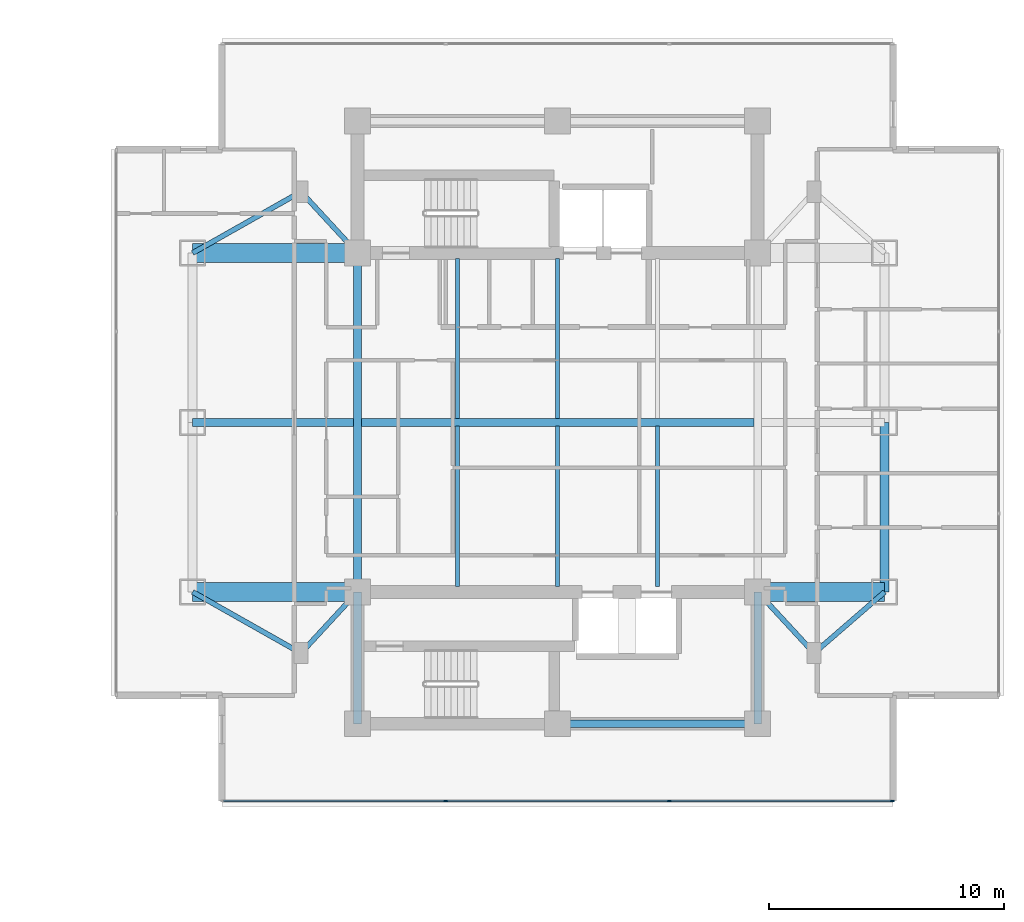
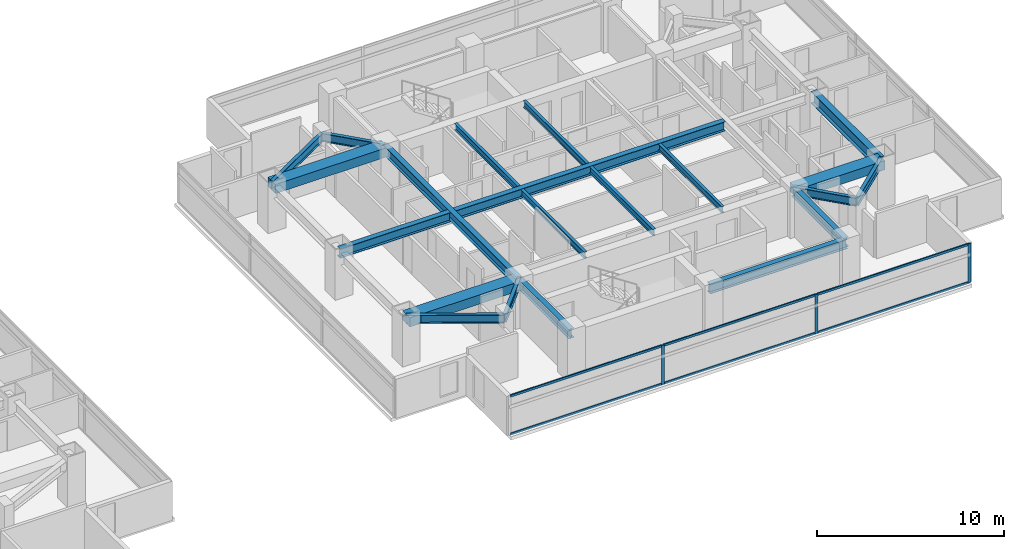
# One storey, part 9 of 24: 21 beams, 9 members, 1 element without a shape of its own.
"""IFC4 building model written with IfcOpenShell, lengths in metres."""

from ifc_helpers import new_model, si_unit, direction, frame, origin, origin_2d, place, context, subcontext, project, spatial, rectangle, i_section, extrude, material, material_profile, profile_set, type_object, element, aggregate, save


model = new_model("IFC4")

# Units and contexts
model_context = context("Model", 3, precision=1e-05, world=origin(), true_north=direction((0.0, 1.0)))
body_context = subcontext(model_context, "Body", "Model", "MODEL_VIEW")
ifc_project = project(units=[si_unit("LENGTHUNIT", "METRE"), si_unit("AREAUNIT", "SQUARE_METRE"), si_unit("VOLUMEUNIT", "CUBIC_METRE"), si_unit("PLANEANGLEUNIT", "RADIAN"), si_unit("MASSUNIT", "GRAM", prefix="KILO")], contexts=[model_context])

# Site, building, storey
site_placement = place(None, origin())
site = spatial("IfcSite", under=ifc_project, at=site_placement, CompositionType="ELEMENT")
building_placement = place(site_placement, origin())
building = spatial("IfcBuilding", under=site, at=building_placement, Name="Mirazonda Arch Towers", CompositionType="ELEMENT")
storey_placement = place(building_placement, frame((0.0, 0.0, 144.5)))
storey = spatial("IfcBuildingStorey", under=building, at=storey_placement, Name="L41", CompositionType="ELEMENT", Elevation=144.5)

# Beams
ifc_material_1 = material(Name="Steel ASTM A992 Grade 50", Category="steel")
ifc_material_profile_1 = material_profile(ifc_material_1, i_section(OverallWidth=0.381103515625, OverallDepth=0.77294921875, WebThickness=0.0166015625, FlangeThickness=0.027099609375, at=origin_2d()), Name="W30X173")
ifc_profile_set_1 = profile_set([ifc_material_profile_1], Name="Steel ASTM A992 Grade 50")
beam_type_1 = type_object("IfcBeamType", Name="BM-EXT-W30X173", PredefinedType="USERDEFINED", material=ifc_profile_set_1)
beam_1_placement = place(storey_placement, frame((90.39990234375, 20.800048828125, 2.553466796875), z_axis=(0.0, 1.0, 0.0), x_axis=(-1.0, 0.0, 0.0)))
element("IfcBeam", 1, at=beam_1_placement, inside=storey, type_object=beam_type_1, Name="L41 Floor Beam BMT-T2-L41-NS-E-20", ObjectType="GIRDER", PredefinedType="USERDEFINED", context=body_context, shape_type="SweptSolid", body=[
    extrude(i_section(OverallWidth=0.381103515625, OverallDepth=0.77294921875, WebThickness=0.0166015625, FlangeThickness=0.027099609375, at=origin_2d()), origin(), (0.0, 0.0, 1.0), 7.199951171875),
])
ifc_material_profile_2 = material_profile(ifc_material_1, i_section(OverallWidth=0.180908203125, OverallDepth=0.4169921875, WebThickness=0.010986328125, FlangeThickness=0.018310546875, at=origin_2d()), Name="W16X57")
ifc_profile_set_2 = profile_set([ifc_material_profile_2], Name="Steel ASTM A992 Grade 50")
beam_type_2 = type_object("IfcBeamType", Name="BM-INT-W16X57", PredefinedType="JOIST", material=ifc_profile_set_2)
for number, where, z_axis, x_axis, name in (
    (2, (72.25, 21.0400390625, 2.7314453125), (0.0, 1.0, 0.0), (-1.0, 0.0, 0.0), "L41 Floor Beam BM-T2-L41-J-722-20"),
    (3, (72.25, 28.158447265625, 2.7314453125), (0.0, 1.0, 0.0), (-1.0, 0.0, 0.0), "L41 Floor Beam BM-T2-L41-J-722-28"),
    (4, (76.5, 21.0400390625, 2.7314453125), (0.0, 1.0, 0.0), (-1.0, 0.0, 0.0), "L41 Floor Beam BM-T2-L41-J-765-20"),
    (5, (76.5, 28.158447265625, 2.7314453125), (0.0, 1.0, 0.0), (-1.0, 0.0, 0.0), "L41 Floor Beam BM-T2-L41-J-765-28"),
    (6, (80.75, 21.0400390625, 2.7314453125), (0.0, 1.0, 0.0), (-1.0, 0.0, 0.0), "L41 Floor Beam BM-T2-L41-J-807-20"),
):
    element("IfcBeam", number, at=place(storey_placement, frame(where, z_axis=z_axis, x_axis=x_axis)), inside=storey, type_object=beam_type_2, Name=name, PredefinedType="JOIST", context=body_context, shape_type="SweptSolid", body=[
        extrude(i_section(OverallWidth=0.180908203125, OverallDepth=0.4169921875, WebThickness=0.010986328125, FlangeThickness=0.018310546875, at=origin_2d()), origin(), (0.0, 0.0, 1.0), 6.801513671875),
    ])
ifc_material_profile_3 = material_profile(ifc_material_1, i_section(OverallWidth=0.214111328125, OverallDepth=0.549072265625, WebThickness=0.0146484375, FlangeThickness=0.023681640625, at=origin_2d()), Name="W21X93")
ifc_profile_set_3 = profile_set([ifc_material_profile_3], Name="Steel ASTM A992 Grade 50")
beam_type_3 = type_object("IfcBeamType", Name="BM-INT-W21X93", PredefinedType="BEAM", material=ifc_profile_set_3)
beam_2_placement = place(storey_placement, frame((65.60009765625, 18.199951171875, 2.66552734375), z_axis=(0.678251444854, 0.734829897019, 0.0), x_axis=(-0.734829897019, 0.678251444854, 0.0)))
element("IfcBeam", 7, at=beam_2_placement, inside=storey, type_object=beam_type_3, Name="L41 Floor Beam BMT-T2-L41-PL-SW1", PredefinedType="BEAM", context=body_context, shape_type="SweptSolid", body=[
    extrude(i_section(OverallWidth=0.214111328125, OverallDepth=0.549072265625, WebThickness=0.0146484375, FlangeThickness=0.023681640625, at=origin_2d()), origin(), (0.0, 0.0, 1.0), 3.538330078125),
])
beam_3_placement = place(storey_placement, frame((65.60009765625, 18.199951171875, 2.66552734375), z_axis=(-0.870559396632, 0.492063346467, 0.0), x_axis=(-0.492063346467, -0.870559396632, 0.0)))
element("IfcBeam", 8, at=beam_3_placement, inside=storey, type_object=beam_type_3, Name="L41 Floor Beam BMT-T2-L41-PL-SW2", PredefinedType="BEAM", context=body_context, shape_type="SweptSolid", body=[
    extrude(i_section(OverallWidth=0.214111328125, OverallDepth=0.549072265625, WebThickness=0.0146484375, FlangeThickness=0.023681640625, at=origin_2d()), origin(), (0.0, 0.0, 1.0), 5.2841796875),
])
beam_4_placement = place(storey_placement, frame((87.39990234375, 18.199951171875, 2.66552734375), z_axis=(-0.678251444854, 0.734829897019, 0.0), x_axis=(-0.734829897019, -0.678251444854, 0.0)))
element("IfcBeam", 9, at=beam_4_placement, inside=storey, type_object=beam_type_3, Name="L41 Floor Beam BMT-T2-L41-PL-SE1", PredefinedType="BEAM", context=body_context, shape_type="SweptSolid", body=[
    extrude(i_section(OverallWidth=0.214111328125, OverallDepth=0.549072265625, WebThickness=0.0146484375, FlangeThickness=0.023681640625, at=origin_2d()), origin(), (0.0, 0.0, 1.0), 3.538330078125),
])
beam_5_placement = place(storey_placement, frame((87.39990234375, 18.199951171875, 2.66552734375), z_axis=(0.755676908098, 0.654944585876, 0.0), x_axis=(-0.654944585876, 0.755676908098, 0.0)))
element("IfcBeam", 10, at=beam_5_placement, inside=storey, type_object=beam_type_3, Name="L41 Floor Beam BMT-T2-L41-PL-SE2", PredefinedType="BEAM", context=body_context, shape_type="SweptSolid", body=[
    extrude(i_section(OverallWidth=0.214111328125, OverallDepth=0.549072265625, WebThickness=0.0146484375, FlangeThickness=0.023681640625, at=origin_2d()), origin(), (0.0, 0.0, 1.0), 3.969970703125),
])
beam_6_placement = place(storey_placement, frame((65.60009765625, 37.800048828125, 2.66552734375), z_axis=(0.678251444854, -0.734829897019, 0.0), x_axis=(0.734829897019, 0.678251444854, 0.0)))
element("IfcBeam", 11, at=beam_6_placement, inside=storey, type_object=beam_type_3, Name="L41 Floor Beam BMT-T2-L41-PL-NW1", PredefinedType="BEAM", context=body_context, shape_type="SweptSolid", body=[
    extrude(i_section(OverallWidth=0.214111328125, OverallDepth=0.549072265625, WebThickness=0.0146484375, FlangeThickness=0.023681640625, at=origin_2d()), origin(), (0.0, 0.0, 1.0), 3.538330078125),
])
beam_7_placement = place(storey_placement, frame((65.60009765625, 37.800048828125, 2.66552734375), z_axis=(-0.870559396632, -0.492063346467, 0.0), x_axis=(0.492063346467, -0.870559396632, 0.0)))
element("IfcBeam", 12, at=beam_7_placement, inside=storey, type_object=beam_type_3, Name="L41 Floor Beam BMT-T2-L41-PL-NW2", PredefinedType="BEAM", context=body_context, shape_type="SweptSolid", body=[
    extrude(i_section(OverallWidth=0.214111328125, OverallDepth=0.549072265625, WebThickness=0.0146484375, FlangeThickness=0.023681640625, at=origin_2d()), origin(), (0.0, 0.0, 1.0), 5.2841796875),
])
ifc_material_profile_4 = material_profile(ifc_material_1, i_section(OverallWidth=0.324951171875, OverallDepth=0.615966796875, WebThickness=0.013916015625, FlangeThickness=0.021484375, at=origin_2d()), Name="W24X117")
ifc_profile_set_4 = profile_set([ifc_material_profile_4], Name="Steel ASTM A992 Grade 50")
beam_type_4 = type_object("IfcBeamType", Name="BM-INT-W24X117", PredefinedType="BEAM", material=ifc_profile_set_4)
beam_8_placement = place(storey_placement, frame((68.16259765625, 28.0, 2.632080078125), z_axis=(1.0, 0.0, 0.0), x_axis=(0.0, 1.0, 0.0)))
element("IfcBeam", 13, at=beam_8_placement, inside=storey, type_object=beam_type_4, Name="L41 Floor Beam BMT-T2-L41-GC2", PredefinedType="BEAM", context=body_context, shape_type="SweptSolid", body=[
    extrude(i_section(OverallWidth=0.324951171875, OverallDepth=0.615966796875, WebThickness=0.013916015625, FlangeThickness=0.021484375, at=origin_2d()), origin(), (0.0, 0.0, 1.0), 16.6748046875),
])
beam_9_placement = place(storey_placement, frame((76.5, 15.199951171875, 2.632080078125), z_axis=(1.0, 0.0, 0.0), x_axis=(0.0, 1.0, 0.0)))
element("IfcBeam", 14, at=beam_9_placement, inside=storey, type_object=beam_type_4, Name="L41 Floor Beam BMT-T2-L41-CS2", PredefinedType="BEAM", context=body_context, shape_type="SweptSolid", body=[
    extrude(i_section(OverallWidth=0.324951171875, OverallDepth=0.615966796875, WebThickness=0.013916015625, FlangeThickness=0.021484375, at=origin_2d()), origin(), (0.0, 0.0, 1.0), 8.5),
])
for number, where, z_axis, x_axis, name in (
    (15, (68.0, 15.199951171875, 2.632080078125), (0.0, 1.0, 0.0), (-1.0, 0.0, 0.0), "L41 Floor Beam BMT-T2-L41-CSW"),
    (16, (85.0, 15.199951171875, 2.632080078125), (0.0, 1.0, 0.0), (-1.0, 0.0, 0.0), "L41 Floor Beam BMT-T2-L41-CSE"),
):
    element("IfcBeam", number, at=place(storey_placement, frame(where, z_axis=z_axis, x_axis=x_axis)), inside=storey, type_object=beam_type_4, Name=name, PredefinedType="BEAM", context=body_context, shape_type="SweptSolid", body=[
        extrude(i_section(OverallWidth=0.324951171875, OverallDepth=0.615966796875, WebThickness=0.013916015625, FlangeThickness=0.021484375, at=origin_2d()), origin(), (0.0, 0.0, 1.0), 5.60009765625),
    ])
beam_10_placement = place(storey_placement, frame((61.0, 28.0, 2.632080078125), z_axis=(1.0, 0.0, 0.0), x_axis=(0.0, 1.0, 0.0)))
element("IfcBeam", 17, at=beam_10_placement, inside=storey, type_object=beam_type_4, Name="L41 Floor Beam BMT-T2-L41-GW2", PredefinedType="BEAM", context=body_context, shape_type="SweptSolid", body=[
    extrude(i_section(OverallWidth=0.324951171875, OverallDepth=0.615966796875, WebThickness=0.013916015625, FlangeThickness=0.021484375, at=origin_2d()), origin(), (0.0, 0.0, 1.0), 6.83740234375),
])
beam_11_placement = place(storey_placement, frame((68.0, 20.800048828125, 2.632080078125), z_axis=(0.0, 1.0, 0.0), x_axis=(-1.0, 0.0, 0.0)))
element("IfcBeam", 18, at=beam_11_placement, inside=storey, type_object=beam_type_4, Name="L41 Floor Beam BMT-T2-L41-NS-CW-FULL", PredefinedType="BEAM", context=body_context, shape_type="SweptSolid", body=[
    extrude(i_section(OverallWidth=0.324951171875, OverallDepth=0.615966796875, WebThickness=0.013916015625, FlangeThickness=0.021484375, at=origin_2d()), origin(), (0.0, 0.0, 1.0), 14.39990234375),
])
ifc_material_2 = material(Name="Concrete C60/75", Category="concrete")
ifc_material_profile_5 = material_profile(ifc_material_2, rectangle(XDim=0.800048828125, YDim=0.60009765625, at=origin_2d()), Name="RCCB800x600")
ifc_profile_set_5 = profile_set([ifc_material_profile_5], Name="Concrete C60/75")
beam_type_5 = type_object("IfcBeamType", Name="CB-INT-RCCB800x600", PredefinedType="SPANDREL", material=ifc_profile_set_5)
for number, where, z_axis, x_axis, name in (
    (19, (61.0, 35.199951171875, 2.639892578125), (1.0, 0.0, 0.0), (0.0, 1.0, 0.0), "L41 Floor Beam CBC-T2-L41-NW"),
    (20, (61.0, 20.800048828125, 2.639892578125), (1.0, 0.0, 0.0), (0.0, 1.0, 0.0), "L41 Floor Beam CBC-T2-L41-SW"),
):
    element("IfcBeam", number, at=place(storey_placement, frame(where, z_axis=z_axis, x_axis=x_axis)), inside=storey, type_object=beam_type_5, Name=name, PredefinedType="SPANDREL", context=body_context, shape_type="SweptSolid", body=[
        extrude(rectangle(XDim=0.800048828125, YDim=0.60009765625, at=origin_2d()), origin(), (0.0, 0.0, 1.0), 7.0),
    ])
beam_12_placement = place(storey_placement, frame((85.0, 20.800048828125, 2.639892578125), z_axis=(1.0, 0.0, 0.0), x_axis=(0.0, 1.0, 0.0)))
element("IfcBeam", 21, at=beam_12_placement, inside=storey, type_object=beam_type_5, Name="L41 Floor Beam CBC-T2-L41-SE", PredefinedType="SPANDREL", context=body_context, shape_type="SweptSolid", body=[
    extrude(rectangle(XDim=0.800048828125, YDim=0.60009765625, at=origin_2d()), origin(), (0.0, 0.0, 1.0), 5.39990234375),
])

# Curtain wall, members
ifc_material_3 = material(Name="Anodised Aluminium and Low-E Glass", Category="aluminium")
curtain_wall_type = type_object("IfcCurtainWallType", Name="CW-HTL-UNIT", PredefinedType="NOTDEFINED", material=ifc_material_3)
curtain_wall_placement = place(storey_placement, origin())
curtain_wall = element("IfcCurtainWall", 22, at=curtain_wall_placement, inside=storey, type_object=curtain_wall_type, Name="L41 T2 S Facade CW-L41-T2-S", PredefinedType="NOTDEFINED")
ifc_material_4 = material(Name="Anodised Aluminium Alloy", Category="aluminium")
ifc_material_profile_6 = material_profile(ifc_material_4, rectangle(XDim=0.074951171875, YDim=0.1650390625, at=origin_2d()), Name="ALU-MULL-75x165")
ifc_profile_set_6 = profile_set([ifc_material_profile_6], Name="Anodised Aluminium Alloy")
member_type_1 = type_object("IfcMemberType", Name="MULL-CW-HTL-UNIT", PredefinedType="MULLION", material=ifc_profile_set_6)
member_1_placement = place(storey_placement, frame((90.72509765625, 11.91455078125, 0.0), z_axis=(0.0, 0.0, 1.0), x_axis=(0.0, -1.0, 0.0)))
member_1 = element("IfcMember", 23, at=member_1_placement, type_object=member_type_1, Name="CW-112 mullion 1", PredefinedType="MULLION", context=body_context, shape_type="SweptSolid", body=[
    extrude(rectangle(XDim=0.074951171875, YDim=0.1650390625, at=origin_2d()), origin(), (0.0, 0.0, 1.0), 2.56005859375),
])
member_2_placement = place(storey_placement, frame((81.254150390625, 11.91455078125, 0.0), z_axis=(0.0, 0.0, 1.0), x_axis=(0.0, -1.0, 0.0)))
member_2 = element("IfcMember", 24, at=member_2_placement, type_object=member_type_1, Name="CW-112 mullion 2", PredefinedType="MULLION", context=body_context, shape_type="SweptSolid", body=[
    extrude(rectangle(XDim=0.074951171875, YDim=0.1650390625, at=origin_2d()), origin(), (0.0, 0.0, 1.0), 2.56005859375),
])
member_3_placement = place(storey_placement, frame((71.745849609375, 11.91455078125, 0.0), z_axis=(0.0, 0.0, 1.0), x_axis=(0.0, -1.0, 0.0)))
member_3 = element("IfcMember", 25, at=member_3_placement, type_object=member_type_1, Name="CW-112 mullion 3", PredefinedType="MULLION", context=body_context, shape_type="SweptSolid", body=[
    extrude(rectangle(XDim=0.074951171875, YDim=0.1650390625, at=origin_2d()), origin(), (0.0, 0.0, 1.0), 2.56005859375),
])
ifc_material_profile_7 = material_profile(ifc_material_4, rectangle(XDim=0.074951171875, YDim=0.14501953125, at=origin_2d()), Name="ALU-TRAN-75x145")
ifc_profile_set_7 = profile_set([ifc_material_profile_7], Name="Anodised Aluminium Alloy")
member_type_2 = type_object("IfcMemberType", Name="TRAN-CW-HTL-UNIT", PredefinedType="USERDEFINED", material=ifc_profile_set_7)
member_4_placement = place(storey_placement, frame((90.6875, 11.91455078125, 0.03759765625), z_axis=(-1.0, 0.0, 0.0), x_axis=(0.0, -1.0, 0.0)))
member_4 = element("IfcMember", 26, at=member_4_placement, type_object=member_type_2, Name="CW-112 transom 1.1", ObjectType="TRANSOM", PredefinedType="USERDEFINED", context=body_context, shape_type="SweptSolid", body=[
    extrude(rectangle(XDim=0.074951171875, YDim=0.14501953125, at=origin_2d()), origin(), (0.0, 0.0, 1.0), 9.395751953125),
])
member_5_placement = place(storey_placement, frame((90.6875, 11.91455078125, 2.5224609375), z_axis=(-1.0, 0.0, 0.0), x_axis=(0.0, -1.0, 0.0)))
member_5 = element("IfcMember", 27, at=member_5_placement, type_object=member_type_2, Name="CW-112 transom 1.2", ObjectType="TRANSOM", PredefinedType="USERDEFINED", context=body_context, shape_type="SweptSolid", body=[
    extrude(rectangle(XDim=0.074951171875, YDim=0.14501953125, at=origin_2d()), origin(), (0.0, 0.0, 1.0), 9.395751953125),
])
member_6_placement = place(storey_placement, frame((81.216552734375, 11.91455078125, 0.03759765625), z_axis=(-1.0, 0.0, 0.0), x_axis=(0.0, -1.0, 0.0)))
member_6 = element("IfcMember", 28, at=member_6_placement, type_object=member_type_2, Name="CW-112 transom 2.1", ObjectType="TRANSOM", PredefinedType="USERDEFINED", context=body_context, shape_type="SweptSolid", body=[
    extrude(rectangle(XDim=0.074951171875, YDim=0.14501953125, at=origin_2d()), origin(), (0.0, 0.0, 1.0), 9.43310546875),
])
member_7_placement = place(storey_placement, frame((81.216552734375, 11.91455078125, 2.5224609375), z_axis=(-1.0, 0.0, 0.0), x_axis=(0.0, -1.0, 0.0)))
member_7 = element("IfcMember", 29, at=member_7_placement, type_object=member_type_2, Name="CW-112 transom 2.2", ObjectType="TRANSOM", PredefinedType="USERDEFINED", context=body_context, shape_type="SweptSolid", body=[
    extrude(rectangle(XDim=0.074951171875, YDim=0.14501953125, at=origin_2d()), origin(), (0.0, 0.0, 1.0), 9.43310546875),
])
member_8_placement = place(storey_placement, frame((71.708251953125, 11.91455078125, 0.03759765625), z_axis=(-1.0, 0.0, 0.0), x_axis=(0.0, -1.0, 0.0)))
member_8 = element("IfcMember", 30, at=member_8_placement, type_object=member_type_2, Name="CW-112 transom 3.1", ObjectType="TRANSOM", PredefinedType="USERDEFINED", context=body_context, shape_type="SweptSolid", body=[
    extrude(rectangle(XDim=0.074951171875, YDim=0.14501953125, at=origin_2d()), origin(), (0.0, 0.0, 1.0), 9.395751953125),
])
member_9_placement = place(storey_placement, frame((71.708251953125, 11.91455078125, 2.5224609375), z_axis=(-1.0, 0.0, 0.0), x_axis=(0.0, -1.0, 0.0)))
member_9 = element("IfcMember", 31, at=member_9_placement, type_object=member_type_2, Name="CW-112 transom 3.2", ObjectType="TRANSOM", PredefinedType="USERDEFINED", context=body_context, shape_type="SweptSolid", body=[
    extrude(rectangle(XDim=0.074951171875, YDim=0.14501953125, at=origin_2d()), origin(), (0.0, 0.0, 1.0), 9.395751953125),
])
aggregate(curtain_wall, [member_1, member_2, member_3, member_4, member_5, member_6, member_7, member_8, member_9])

save(model, "model.ifc")
